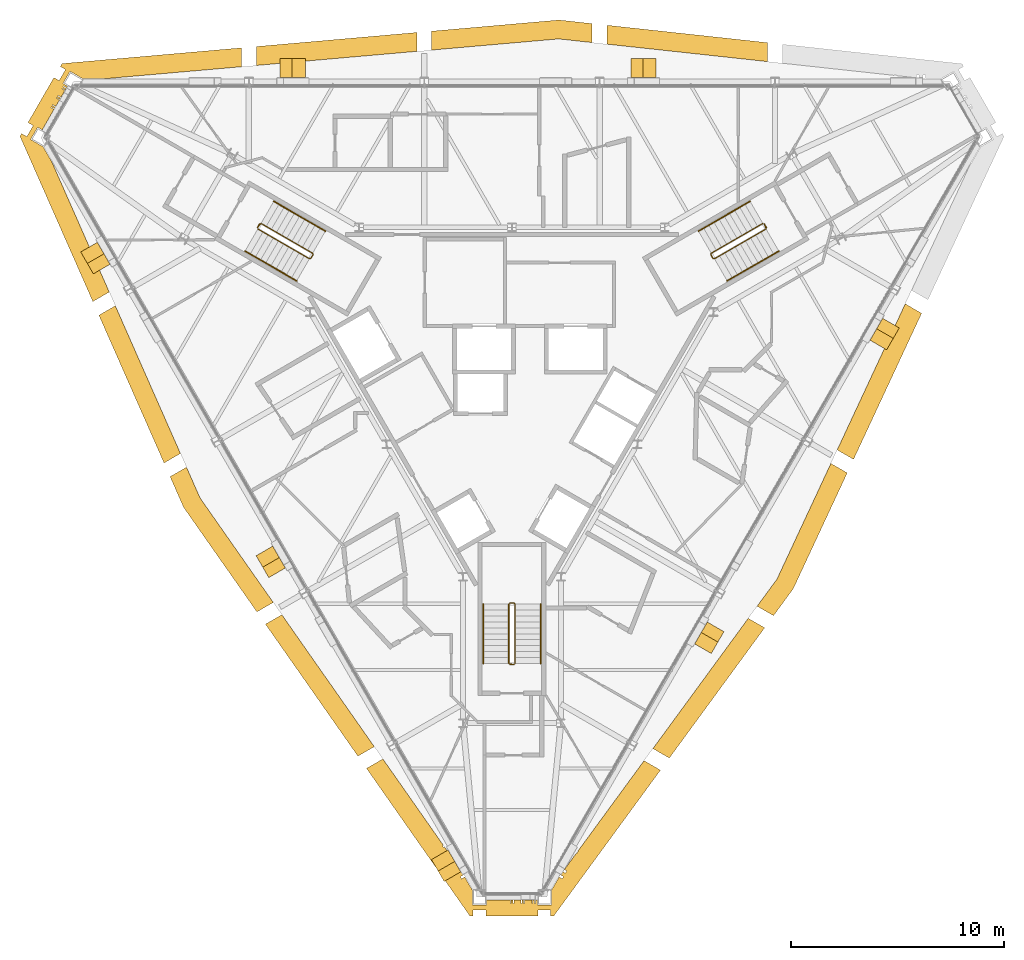
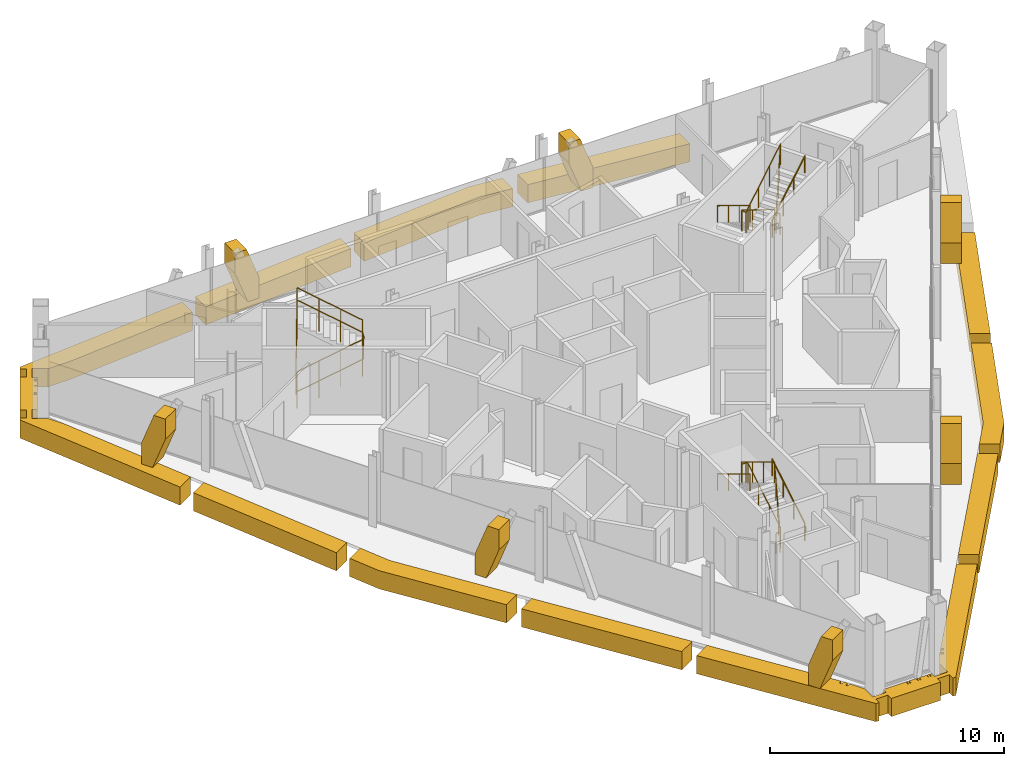
# One storey, part 12 of 13: 18 coverings, 9 railings.
"""IFC4 building model written with IfcOpenShell, lengths in metres."""

from ifc_helpers import new_model, si_unit, direction, frame, origin, origin_2d, place, context, subcontext, project, spatial, polyline, circle, outline, extrude, material, layer, layer_set, type_object, element, save


model = new_model("IFC4")

# Units and contexts
model_context = context("Model", 3, precision=1e-05, world=origin(), true_north=direction((0.0, 1.0)))
body_context = subcontext(model_context, "Body", "Model", "MODEL_VIEW")
ifc_project = project(units=[si_unit("LENGTHUNIT", "METRE"), si_unit("AREAUNIT", "SQUARE_METRE"), si_unit("VOLUMEUNIT", "CUBIC_METRE"), si_unit("PLANEANGLEUNIT", "RADIAN"), si_unit("MASSUNIT", "GRAM", prefix="KILO")], contexts=[model_context])

# Site, building, storey
site_placement = place(None, origin())
site = spatial("IfcSite", under=ifc_project, at=site_placement, CompositionType="ELEMENT")
building_placement = place(site_placement, origin())
building = spatial("IfcBuilding", under=site, at=building_placement, Name="Verrane Prism Tower", CompositionType="ELEMENT")
storey_placement = place(building_placement, frame((0.0, 0.0, 278.800048828125)))
storey = spatial("IfcBuildingStorey", under=building, at=storey_placement, Name="L70", CompositionType="ELEMENT", Elevation=278.800048828125)

# Railings
ifc_material_1 = material(Name="Steel A36 rail and posts, no infill", Category="steel")
railing_type_1 = type_object("IfcRailingType", Name="Stair guard 1100 steel rail and posts", PredefinedType="GUARDRAIL", material=ifc_material_1)
railing_1_placement = place(storey_placement, frame((11.78955078125, 6.97998046875, 0.168212890625)))
element("IfcRailing", 1, at=railing_1_placement, inside=storey, type_object=railing_type_1, Name="Stair 1 guard", PredefinedType="GUARDRAIL", context=body_context, shape_type="SweptSolid", body=[
    extrude(circle(Radius=0.02392578125, at=origin_2d()), frame((0.0, 0.0, 1.076171875), z_axis=(-0.742395268701, -0.428678701772, 0.514862928999), x_axis=(0.500049511043, -0.865996816683, 0.0)), (0.0, 0.0, 1.0), 3.26611328125),
    extrude(circle(Radius=0.02392578125, at=origin_2d()), frame((-2.4248046875, -1.400146484375, 2.7578125), z_axis=(-0.259601060869, -0.965715946433, 0.0), x_axis=(0.965715946433, -0.259601060869, 0.0)), (0.0, 0.0, 1.0), 0.070556640625),
    extrude(circle(Radius=0.02392578125, at=origin_2d()), frame((-2.443115234375, -1.46826171875, 2.7578125), z_axis=(0.499158860599, -0.866510491504, 0.0), x_axis=(0.866510491504, 0.499158860599, 0.0)), (0.0, 0.0, 1.0), 0.199951171875),
    extrude(circle(Radius=0.02392578125, at=origin_2d()), frame((-2.34326171875, -1.6416015625, 2.7578125), z_axis=(0.374585375571, -0.100335368456, 0.921747584887), x_axis=(0.258736085224, 0.965948051503, 0.0)), (0.0, 0.0, 1.0), 0.182373046875),
    extrude(circle(Radius=0.02392578125, at=origin_2d()), frame((-2.27490234375, -1.659912109375, 2.92578125), z_axis=(0.742366697286, 0.42866220388, 0.514917859203), x_axis=(-0.500049511043, 0.865996816683, 0.0)), (0.0, 0.0, 1.0), 3.266357421875),
    extrude(circle(Radius=0.02392578125, at=origin_2d()), frame((0.14990234375, -0.259765625, 4.60791015625), z_axis=(-0.021986835041, 0.065104730107, -0.997636182785), x_axis=(-0.947430582667, -0.3199613899, 0.0)), (0.0, 0.0, 1.0), 3.708740234375),
    extrude(circle(Radius=0.02392578125, at=origin_2d()), frame((0.068359375, -0.018310546875, 0.90771484375), z_axis=(0.499158860599, -0.866510491504, 0.0), x_axis=(0.866510491504, 0.499158860599, 0.0)), (0.0, 0.0, 1.0), 0.199951171875),
    extrude(circle(Radius=0.02099609375, at=origin_2d()), origin(), (0.0, 0.0, 1.0), 1.052001953125),
    extrude(circle(Radius=0.02099609375, at=origin_2d()), frame((-0.808349609375, -0.466796875, 0.560546875)), (0.0, 0.0, 1.0), 1.052001953125),
    extrude(circle(Radius=0.02099609375, at=origin_2d()), frame((-1.616455078125, -0.933349609375, 1.12109375)), (0.0, 0.0, 1.0), 1.052001953125),
    extrude(circle(Radius=0.02099609375, at=origin_2d()), frame((-2.4248046875, -1.400146484375, 1.681640625)), (0.0, 0.0, 1.0), 1.052001953125),
    extrude(circle(Radius=0.02099609375, at=origin_2d()), frame((-2.443115234375, -1.46826171875, 1.681640625)), (0.0, 0.0, 1.0), 1.052001953125),
    extrude(circle(Radius=0.02099609375, at=origin_2d()), frame((-2.34326171875, -1.6416015625, 1.681640625)), (0.0, 0.0, 1.0), 1.052001953125),
    extrude(circle(Radius=0.02099609375, at=origin_2d()), frame((-2.27490234375, -1.659912109375, 1.849853515625)), (0.0, 0.0, 1.0), 1.052001953125),
    extrude(circle(Radius=0.02099609375, at=origin_2d()), frame((-1.466552734375, -1.193115234375, 2.410400390625)), (0.0, 0.0, 1.0), 1.052001953125),
    extrude(circle(Radius=0.02099609375, at=origin_2d()), frame((-0.658447265625, -0.7265625, 2.97119140625)), (0.0, 0.0, 1.0), 1.052001953125),
    extrude(circle(Radius=0.02099609375, at=origin_2d()), frame((0.14990234375, -0.259765625, 3.53173828125)), (0.0, 0.0, 1.0), 1.052001953125),
    extrude(circle(Radius=0.02099609375, at=origin_2d()), frame((0.12939453125, -0.199462890625, 2.606689453125)), (0.0, 0.0, 1.0), 1.052001953125),
    extrude(circle(Radius=0.02099609375, at=origin_2d()), frame((0.109130859375, -0.13916015625, 1.681640625)), (0.0, 0.0, 1.0), 1.052001953125),
    extrude(circle(Radius=0.02099609375, at=origin_2d()), frame((0.0888671875, -0.07861328125, 0.7568359375)), (0.0, 0.0, 1.0), 1.052001953125),
    extrude(circle(Radius=0.02099609375, at=origin_2d()), frame((0.068359375, -0.018310546875, -0.168212890625)), (0.0, 0.0, 1.0), 1.052001953125),
    extrude(circle(Radius=0.02099609375, at=origin_2d()), frame((0.168212890625, -0.191650390625, -0.168212890625)), (0.0, 0.0, 1.0), 1.052001953125),
])
railing_2_placement = place(storey_placement, frame((-11.939453125, 6.72021484375, 0.168212890625)))
element("IfcRailing", 2, at=railing_2_placement, inside=storey, type_object=railing_type_1, Name="Stair 2 guard", PredefinedType="GUARDRAIL", context=body_context, shape_type="SweptSolid", body=[
    extrude(circle(Radius=0.02392578125, at=origin_2d()), frame((0.0, 0.0, 1.076171875), z_axis=(0.742395268701, -0.428678701772, 0.514862928999), x_axis=(0.500049511043, 0.865996816683, 0.0)), (0.0, 0.0, 1.0), 3.26611328125),
    extrude(circle(Radius=0.02392578125, at=origin_2d()), frame((2.4248046875, -1.400146484375, 2.7578125), z_axis=(0.965948051503, 0.258736085224, 0.0), x_axis=(-0.258736085224, 0.965948051503, 0.0)), (0.0, 0.0, 1.0), 0.07080078125),
    extrude(circle(Radius=0.02392578125, at=origin_2d()), frame((2.4931640625, -1.3818359375, 2.7578125), z_axis=(0.499158860599, 0.866510491504, 0.0), x_axis=(-0.866510491504, 0.499158860599, 0.0)), (0.0, 0.0, 1.0), 0.199951171875),
    extrude(circle(Radius=0.02392578125, at=origin_2d()), frame((2.593017578125, -1.20849609375, 2.7578125), z_axis=(-0.100385596638, 0.373434419493, 0.922209014446), x_axis=(-0.965715946433, -0.259601060869, 0.0)), (0.0, 0.0, 1.0), 0.182373046875),
    extrude(circle(Radius=0.02392578125, at=origin_2d()), frame((2.57470703125, -1.140380859375, 2.92578125), z_axis=(-0.742366697286, 0.42866220388, 0.514917859203), x_axis=(-0.500049511043, -0.865996816683, 0.0)), (0.0, 0.0, 1.0), 3.266357421875),
    extrude(circle(Radius=0.02392578125, at=origin_2d()), frame((0.14990234375, 0.259765625, 4.60791015625), z_axis=(-0.04535595117, -0.051675503147, -0.99763343973), x_axis=(0.751567565678, -0.659656118156, 0.0)), (0.0, 0.0, 1.0), 3.708740234375),
    extrude(circle(Radius=0.02392578125, at=origin_2d()), frame((-0.018310546875, 0.068115234375, 0.90771484375), z_axis=(0.499158860599, 0.866510491504, 0.0), x_axis=(-0.866510491504, 0.499158860599, 0.0)), (0.0, 0.0, 1.0), 0.199951171875),
    extrude(circle(Radius=0.02099609375, at=origin_2d()), origin(), (0.0, 0.0, 1.0), 1.052001953125),
    extrude(circle(Radius=0.02099609375, at=origin_2d()), frame((0.808349609375, -0.466796875, 0.560546875)), (0.0, 0.0, 1.0), 1.052001953125),
    extrude(circle(Radius=0.02099609375, at=origin_2d()), frame((1.616455078125, -0.933349609375, 1.12109375)), (0.0, 0.0, 1.0), 1.052001953125),
    extrude(circle(Radius=0.02099609375, at=origin_2d()), frame((2.4248046875, -1.400146484375, 1.681640625)), (0.0, 0.0, 1.0), 1.052001953125),
    extrude(circle(Radius=0.02099609375, at=origin_2d()), frame((2.4931640625, -1.3818359375, 1.681640625)), (0.0, 0.0, 1.0), 1.052001953125),
    extrude(circle(Radius=0.02099609375, at=origin_2d()), frame((2.593017578125, -1.20849609375, 1.681640625)), (0.0, 0.0, 1.0), 1.052001953125),
    extrude(circle(Radius=0.02099609375, at=origin_2d()), frame((2.57470703125, -1.140380859375, 1.849853515625)), (0.0, 0.0, 1.0), 1.052001953125),
    extrude(circle(Radius=0.02099609375, at=origin_2d()), frame((1.766357421875, -0.673583984375, 2.410400390625)), (0.0, 0.0, 1.0), 1.052001953125),
    extrude(circle(Radius=0.02099609375, at=origin_2d()), frame((0.958251953125, -0.20703125, 2.97119140625)), (0.0, 0.0, 1.0), 1.052001953125),
    extrude(circle(Radius=0.02099609375, at=origin_2d()), frame((0.14990234375, 0.259765625, 3.53173828125)), (0.0, 0.0, 1.0), 1.052001953125),
    extrude(circle(Radius=0.02099609375, at=origin_2d()), frame((0.10791015625, 0.2119140625, 2.606689453125)), (0.0, 0.0, 1.0), 1.052001953125),
    extrude(circle(Radius=0.02099609375, at=origin_2d()), frame((0.06591796875, 0.1640625, 1.681640625)), (0.0, 0.0, 1.0), 1.052001953125),
    extrude(circle(Radius=0.02099609375, at=origin_2d()), frame((0.023681640625, 0.115966796875, 0.7568359375)), (0.0, 0.0, 1.0), 1.052001953125),
    extrude(circle(Radius=0.02099609375, at=origin_2d()), frame((-0.018310546875, 0.068115234375, -0.168212890625)), (0.0, 0.0, 1.0), 1.052001953125),
    extrude(circle(Radius=0.02099609375, at=origin_2d()), frame((0.08154296875, 0.241455078125, -0.168212890625)), (0.0, 0.0, 1.0), 1.052001953125),
])
railing_3_placement = place(storey_placement, frame((0.14990234375, -13.699951171875, 0.168212890625)))
element("IfcRailing", 3, at=railing_3_placement, inside=storey, type_object=railing_type_1, Name="Stair 3 guard", PredefinedType="GUARDRAIL", context=body_context, shape_type="SweptSolid", body=[
    extrude(circle(Radius=0.02392578125, at=origin_2d()), frame((0.0, 0.0, 1.076171875), z_axis=(0.0, 0.857275202839, 0.514858452973), x_axis=(-1.0, 0.0, 0.0)), (0.0, 0.0, 1.0), 3.26611328125),
    extrude(circle(Radius=0.02392578125, at=origin_2d()), frame((0.0, 2.800048828125, 2.7578125), z_axis=(-0.707106781187, 0.707106781187, 0.0), x_axis=(-0.707106781187, -0.707106781187, 0.0)), (0.0, 0.0, 1.0), 0.0703125),
    extrude(circle(Radius=0.02392578125, at=origin_2d()), frame((-0.0498046875, 2.849853515625, 2.7578125), z_axis=(-1.0, 0.0, 0.0), x_axis=(0.0, -1.0, 0.0)), (0.0, 0.0, 1.0), 0.2001953125),
    extrude(circle(Radius=0.02392578125, at=origin_2d()), frame((-0.25, 2.849853515625, 2.7578125), z_axis=(-0.273106073848, -0.273106073848, 0.922402376869), x_axis=(0.707106781187, -0.707106781187, 0.0)), (0.0, 0.0, 1.0), 0.182373046875),
    extrude(circle(Radius=0.02392578125, at=origin_2d()), frame((-0.2998046875, 2.800048828125, 2.92578125), z_axis=(0.0, -0.857242210791, 0.514913383045), x_axis=(1.0, 0.0, 0.0)), (0.0, 0.0, 1.0), 3.266357421875),
    extrude(circle(Radius=0.02392578125, at=origin_2d()), frame((-0.2998046875, 0.0, 4.60791015625), z_axis=(0.067408604812, -0.013494886706, -0.997634185476), x_axis=(0.196300278283, 0.98054382908, 0.0)), (0.0, 0.0, 1.0), 3.708740234375),
    extrude(circle(Radius=0.02392578125, at=origin_2d()), frame((-0.0498046875, -0.050048828125, 0.90771484375), z_axis=(-1.0, 0.0, 0.0), x_axis=(0.0, -1.0, 0.0)), (0.0, 0.0, 1.0), 0.2001953125),
    extrude(circle(Radius=0.02099609375, at=origin_2d()), origin(), (0.0, 0.0, 1.0), 1.052001953125),
    extrude(circle(Radius=0.02099609375, at=origin_2d()), frame((0.0, 0.933349609375, 0.560546875)), (0.0, 0.0, 1.0), 1.052001953125),
    extrude(circle(Radius=0.02099609375, at=origin_2d()), frame((0.0, 1.86669921875, 1.12109375)), (0.0, 0.0, 1.0), 1.052001953125),
    extrude(circle(Radius=0.02099609375, at=origin_2d()), frame((0.0, 2.800048828125, 1.681640625)), (0.0, 0.0, 1.0), 1.052001953125),
    extrude(circle(Radius=0.02099609375, at=origin_2d()), frame((-0.0498046875, 2.849853515625, 1.681640625)), (0.0, 0.0, 1.0), 1.052001953125),
    extrude(circle(Radius=0.02099609375, at=origin_2d()), frame((-0.25, 2.849853515625, 1.681640625)), (0.0, 0.0, 1.0), 1.052001953125),
    extrude(circle(Radius=0.02099609375, at=origin_2d()), frame((-0.2998046875, 2.800048828125, 1.849853515625)), (0.0, 0.0, 1.0), 1.052001953125),
    extrude(circle(Radius=0.02099609375, at=origin_2d()), frame((-0.2998046875, 1.86669921875, 2.410400390625)), (0.0, 0.0, 1.0), 1.052001953125),
    extrude(circle(Radius=0.02099609375, at=origin_2d()), frame((-0.2998046875, 0.933349609375, 2.97119140625)), (0.0, 0.0, 1.0), 1.052001953125),
    extrude(circle(Radius=0.02099609375, at=origin_2d()), frame((-0.2998046875, 0.0, 3.53173828125)), (0.0, 0.0, 1.0), 1.052001953125),
    extrude(circle(Radius=0.02099609375, at=origin_2d()), frame((-0.2373046875, -0.012451171875, 2.606689453125)), (0.0, 0.0, 1.0), 1.052001953125),
    extrude(circle(Radius=0.02099609375, at=origin_2d()), frame((-0.1748046875, -0.02490234375, 1.681640625)), (0.0, 0.0, 1.0), 1.052001953125),
    extrude(circle(Radius=0.02099609375, at=origin_2d()), frame((-0.1123046875, -0.03759765625, 0.7568359375)), (0.0, 0.0, 1.0), 1.052001953125),
    extrude(circle(Radius=0.02099609375, at=origin_2d()), frame((-0.0498046875, -0.050048828125, -0.168212890625)), (0.0, 0.0, 1.0), 1.052001953125),
    extrude(circle(Radius=0.02099609375, at=origin_2d()), frame((-0.25, -0.050048828125, -0.168212890625)), (0.0, 0.0, 1.0), 1.052001953125),
])
ifc_material_2 = material(Name="Steel A36 tube", Category="steel")
railing_type_2 = type_object("IfcRailingType", Name="Stair handrail 900 steel tube", PredefinedType="HANDRAIL", material=ifc_material_2)
railing_4_placement = place(storey_placement, frame((11.189453125, 8.01904296875, 0.168212890625)))
element("IfcRailing", 4, at=railing_4_placement, inside=storey, type_object=railing_type_2, Name="Stair 1 handrail", PredefinedType="HANDRAIL", context=body_context, shape_type="SweptSolid", body=[
    extrude(circle(Radius=0.02392578125, at=origin_2d()), frame((0.0, 0.0, 0.8759765625), z_axis=(-0.74241905619, -0.428617687091, 0.514879426), x_axis=(0.49998411664, -0.866034573852, 0.0)), (0.0, 0.0, 1.0), 3.26611328125),
    extrude(circle(Radius=0.02099609375, at=origin_2d()), origin(), (0.0, 0.0, 1.0), 0.851806640625),
    extrude(circle(Radius=0.02099609375, at=origin_2d()), frame((-0.808349609375, -0.466552734375, 0.560546875)), (0.0, 0.0, 1.0), 0.851806640625),
    extrude(circle(Radius=0.02099609375, at=origin_2d()), frame((-1.616455078125, -0.933349609375, 1.12109375)), (0.0, 0.0, 1.0), 0.851806640625),
    extrude(circle(Radius=0.02099609375, at=origin_2d()), frame((-2.4248046875, -1.39990234375, 1.681640625)), (0.0, 0.0, 1.0), 0.851806640625),
])
railing_5_placement = place(storey_placement, frame((10.11474609375, 4.28076171875, 2.01806640625)))
element("IfcRailing", 5, at=railing_5_placement, inside=storey, type_object=railing_type_2, Name="Stair 1 handrail", PredefinedType="HANDRAIL", context=body_context, shape_type="SweptSolid", body=[
    extrude(circle(Radius=0.02392578125, at=origin_2d()), frame((0.0, 0.0, 0.8759765625), z_axis=(0.742366697286, 0.42866220388, 0.514917859203), x_axis=(-0.500049511043, 0.865996816683, 0.0)), (0.0, 0.0, 1.0), 3.266357421875),
    extrude(circle(Radius=0.02099609375, at=origin_2d()), origin(), (0.0, 0.0, 1.0), 0.851806640625),
    extrude(circle(Radius=0.02099609375, at=origin_2d()), frame((0.808349609375, 0.466796875, 0.560546875)), (0.0, 0.0, 1.0), 0.851806640625),
    extrude(circle(Radius=0.02099609375, at=origin_2d()), frame((1.616455078125, 0.933349609375, 1.121337890625)), (0.0, 0.0, 1.0), 0.851806640625),
    extrude(circle(Radius=0.02099609375, at=origin_2d()), frame((2.4248046875, 1.400146484375, 1.681884765625)), (0.0, 0.0, 1.0), 0.851806640625),
])
railing_6_placement = place(storey_placement, frame((-12.53955078125, 5.680908203125, 0.168212890625)))
element("IfcRailing", 6, at=railing_6_placement, inside=storey, type_object=railing_type_2, Name="Stair 2 handrail", PredefinedType="HANDRAIL", context=body_context, shape_type="SweptSolid", body=[
    extrude(circle(Radius=0.02392578125, at=origin_2d()), frame((0.0, 0.0, 0.8759765625), z_axis=(0.742395268701, -0.428678701772, 0.514862928999), x_axis=(0.500049511043, 0.865996816683, 0.0)), (0.0, 0.0, 1.0), 3.26611328125),
    extrude(circle(Radius=0.02099609375, at=origin_2d()), origin(), (0.0, 0.0, 1.0), 0.851806640625),
    extrude(circle(Radius=0.02099609375, at=origin_2d()), frame((0.808349609375, -0.466796875, 0.560546875)), (0.0, 0.0, 1.0), 0.851806640625),
    extrude(circle(Radius=0.02099609375, at=origin_2d()), frame((1.616455078125, -0.933349609375, 1.12109375)), (0.0, 0.0, 1.0), 0.851806640625),
    extrude(circle(Radius=0.02099609375, at=origin_2d()), frame((2.4248046875, -1.400146484375, 1.681640625)), (0.0, 0.0, 1.0), 0.851806640625),
])
railing_7_placement = place(storey_placement, frame((-8.7646484375, 6.619140625, 2.01806640625)))
element("IfcRailing", 7, at=railing_7_placement, inside=storey, type_object=railing_type_2, Name="Stair 2 handrail", PredefinedType="HANDRAIL", context=body_context, shape_type="SweptSolid", body=[
    extrude(circle(Radius=0.02392578125, at=origin_2d()), frame((0.0, 0.0, 0.8759765625), z_axis=(-0.742390482028, 0.42860119049, 0.514934356695), x_axis=(-0.49998411664, -0.866034573852, 0.0)), (0.0, 0.0, 1.0), 3.26611328125),
    extrude(circle(Radius=0.02099609375, at=origin_2d()), origin(), (0.0, 0.0, 1.0), 0.851806640625),
    extrude(circle(Radius=0.02099609375, at=origin_2d()), frame((-0.808349609375, 0.466552734375, 0.560546875)), (0.0, 0.0, 1.0), 0.851806640625),
    extrude(circle(Radius=0.02099609375, at=origin_2d()), frame((-1.616455078125, 0.933349609375, 1.121337890625)), (0.0, 0.0, 1.0), 0.851806640625),
    extrude(circle(Radius=0.02099609375, at=origin_2d()), frame((-2.4248046875, 1.39990234375, 1.681884765625)), (0.0, 0.0, 1.0), 0.851806640625),
])
railing_8_placement = place(storey_placement, frame((1.35009765625, -13.699951171875, 0.168212890625)))
element("IfcRailing", 8, at=railing_8_placement, inside=storey, type_object=railing_type_2, Name="Stair 3 handrail", PredefinedType="HANDRAIL", context=body_context, shape_type="SweptSolid", body=[
    extrude(circle(Radius=0.02392578125, at=origin_2d()), frame((0.0, 0.0, 0.8759765625), z_axis=(0.0, 0.857275202839, 0.514858452973), x_axis=(-1.0, 0.0, 0.0)), (0.0, 0.0, 1.0), 3.26611328125),
    extrude(circle(Radius=0.02099609375, at=origin_2d()), origin(), (0.0, 0.0, 1.0), 0.851806640625),
    extrude(circle(Radius=0.02099609375, at=origin_2d()), frame((0.0, 0.933349609375, 0.560546875)), (0.0, 0.0, 1.0), 0.851806640625),
    extrude(circle(Radius=0.02099609375, at=origin_2d()), frame((0.0, 1.86669921875, 1.12109375)), (0.0, 0.0, 1.0), 0.851806640625),
    extrude(circle(Radius=0.02099609375, at=origin_2d()), frame((0.0, 2.800048828125, 1.681640625)), (0.0, 0.0, 1.0), 0.851806640625),
])
railing_9_placement = place(storey_placement, frame((-1.35009765625, -10.89990234375, 2.01806640625)))
element("IfcRailing", 9, at=railing_9_placement, inside=storey, type_object=railing_type_2, Name="Stair 3 handrail", PredefinedType="HANDRAIL", context=body_context, shape_type="SweptSolid", body=[
    extrude(circle(Radius=0.02392578125, at=origin_2d()), frame((0.0, 0.0, 0.8759765625), z_axis=(0.0, -0.857242210791, 0.514913383045), x_axis=(1.0, 0.0, 0.0)), (0.0, 0.0, 1.0), 3.266357421875),
    extrude(circle(Radius=0.02099609375, at=origin_2d()), origin(), (0.0, 0.0, 1.0), 0.851806640625),
    extrude(circle(Radius=0.02099609375, at=origin_2d()), frame((0.0, -0.933349609375, 0.560546875)), (0.0, 0.0, 1.0), 0.851806640625),
    extrude(circle(Radius=0.02099609375, at=origin_2d()), frame((0.0, -1.86669921875, 1.121337890625)), (0.0, 0.0, 1.0), 0.851806640625),
    extrude(circle(Radius=0.02099609375, at=origin_2d()), frame((0.0, -2.800048828125, 1.681884765625)), (0.0, 0.0, 1.0), 0.851806640625),
])

# Coverings
ifc_material_3 = material(Name="Warm limestone cladding", Category="masonry")
ifc_layer_1 = layer(ifc_material_3, 0.89990234375)
ifc_layer_set_1 = layer_set([ifc_layer_1], Name="Stone brace fin 900")
covering_type_1 = type_object("IfcCoveringType", Name="Stone brace fin 900", PredefinedType="CLADDING", material=ifc_layer_set_1)
for number, where, z_axis, x_axis, name in (
    (10, (6.773193359375, 14.27783203125, 0.0), (0.0, 0.0, 1.0), (-1.0, 0.0, 0.0), "Stone brace fin N2 L70"),
    (11, (-9.706787109375, 14.27783203125, 0.0), (0.0, 0.0, 1.0), (-1.0, 0.0, 0.0), "Stone brace fin N4 L70"),
):
    element("IfcCovering", number, at=place(storey_placement, frame(where, z_axis=z_axis, x_axis=x_axis)), inside=storey, type_object=covering_type_1, Name=name, PredefinedType="CLADDING", context=body_context, shape_type="SweptSolid", body=[
        extrude(outline(polyline([(1.186279296875, 2.75), (0.62109375, 2.75), (0.0, 1.076416015625), (0.0, 0.0), (0.560302734375, 0.0), (1.186279296875, 1.686279296875), (1.186279296875, 2.75)])), frame((0.0, 0.449951171875, 0.0), z_axis=(0.0, -1.0, 0.0), x_axis=(1.0, 0.0, 0.0)), (0.0, 0.0, 1.0), 0.89990234375),
    ])
covering_1_placement = place(storey_placement, frame((-19.870361328125, 5.865234375, 0.0), z_axis=(0.0, 0.0, 1.0), x_axis=(0.499811481546, -0.86613421761, 0.0)))
element("IfcCovering", 12, at=covering_1_placement, inside=storey, type_object=covering_type_1, Name="Stone brace fin SW1 L70", PredefinedType="CLADDING", context=body_context, shape_type="SweptSolid", body=[
    extrude(outline(polyline([(1.18701171875, 2.75), (0.62158203125, 2.75), (0.0, 1.075927734375), (0.0, 0.0), (0.560546875, 0.0), (1.18701171875, 1.686767578125), (1.18701171875, 2.75)])), frame((0.0, 0.449951171875, 0.0), z_axis=(0.0, -1.0, 0.0), x_axis=(1.0, 0.0, 0.0)), (0.0, 0.0, 1.0), 0.89990234375),
])
covering_2_placement = place(storey_placement, frame((-11.630126953125, -8.408203125, 0.0), z_axis=(0.0, 0.0, 1.0), x_axis=(0.500191825104, -0.865914625179, 0.0)))
element("IfcCovering", 13, at=covering_2_placement, inside=storey, type_object=covering_type_1, Name="Stone brace fin SW3 L70", PredefinedType="CLADDING", context=body_context, shape_type="SweptSolid", body=[
    extrude(outline(polyline([(1.185791015625, 2.75), (0.62060546875, 2.75), (0.0, 1.0771484375), (0.0, 0.0), (0.560302734375, 0.0), (1.185791015625, 1.685546875), (1.185791015625, 2.75)])), frame((0.0, 0.449951171875, 0.0), z_axis=(0.0, -1.0, 0.0), x_axis=(1.0, 0.0, 0.0)), (0.0, 0.0, 1.0), 0.89990234375),
])
for number, where, z_axis, x_axis, name in (
    (14, (-3.390380859375, -22.684814453125, 0.0), (0.0, 0.0, 1.0), (0.499811481546, -0.86613421761, 0.0), "Stone brace fin SW5 L70"),
    (15, (8.977294921875, -13.002685546875, 0.0), (0.0, 0.0, 1.0), (0.499746201493, 0.866171884844, 0.0), "Stone brace fin SE2 L70"),
    (16, (17.21728515625, 1.26708984375, 0.0), (0.0, 0.0, 1.0), (0.499657156181, 0.866223254293, 0.0), "Stone brace fin SE4 L70"),
):
    element("IfcCovering", number, at=place(storey_placement, frame(where, z_axis=z_axis, x_axis=x_axis)), inside=storey, type_object=covering_type_1, Name=name, PredefinedType="CLADDING", context=body_context, shape_type="SweptSolid", body=[
        extrude(outline(polyline([(1.18701171875, 2.75), (0.62158203125, 2.75), (0.0, 1.075927734375), (0.0, 0.0), (0.560546875, 0.0), (1.18701171875, 1.686767578125), (1.18701171875, 2.75)])), frame((0.0, 0.449951171875, 0.0), z_axis=(0.0, -1.0, 0.0), x_axis=(1.0, 0.0, 0.0)), (0.0, 0.0, 1.0), 0.89990234375),
    ])
ifc_material_4 = material(Name="Warm limestone cladding", Category="masonry")
ifc_layer_2 = layer(ifc_material_4, 0.449951171875)
ifc_layer_set_2 = layer_set([ifc_layer_2], Name="Stone spandrel band 450")
covering_type_2 = type_object("IfcCoveringType", Name="Stone spandrel band 450", PredefinedType="CLADDING", material=ifc_layer_set_2)
covering_3_placement = place(storey_placement, frame((0.0, 0.0, -0.949951171875)))
element("IfcCovering", 17, at=covering_3_placement, inside=storey, type_object=covering_type_2, Name="Stone spandrel band L70 part 1", PredefinedType="CLADDING", context=body_context, shape_type="SweptSolid", body=[
    extrude(outline(polyline([(-19.69091796875, 3.310791015625), (-18.920166015625, 3.755859375), (-21.625244140625, 9.889404296875), (-22.027099609375, 10.585205078125), (-22.614013671875, 10.92431640625), (-22.2841796875, 11.495849609375), (-22.07275390625, 11.373779296875), (-21.51318359375, 12.3427734375), (-21.65478515625, 12.424560546875), (-21.639892578125, 12.449951171875), (-21.49853515625, 12.3681640625), (-21.4580078125, 12.4384765625), (-21.599365234375, 12.520263671875), (-21.575927734375, 12.560791015625), (-21.4345703125, 12.47900390625), (-21.260009765625, 12.78125), (-21.4013671875, 12.86279296875), (-21.38671875, 12.888427734375), (-21.245361328125, 12.806640625), (-21.204833984375, 12.876953125), (-21.34619140625, 12.95849609375), (-21.32275390625, 12.9990234375), (-21.181396484375, 12.91748046875), (-21.007080078125, 13.219482421875), (-21.148193359375, 13.30126953125), (-21.13330078125, 13.32666015625), (-20.9921875, 13.2451171875), (-20.95166015625, 13.315185546875), (-21.0927734375, 13.39697265625), (-21.0693359375, 13.4375), (-20.92822265625, 13.35595703125), (-20.8837890625, 13.432861328125), (-21.093994140625, 13.55419921875), (-20.76416015625, 14.125732421875), (-20.1708984375, 13.783447265625), (-19.084228515625, 13.783447265625), (-12.712646484375, 14.34228515625), (-12.712646484375, 15.23046875), (-21.140380859375, 14.4912109375), (-21.220703125, 14.352294921875), (-20.97412109375, 14.209716796875), (-21.274169921875, 13.690185546875), (-21.520751953125, 13.83251953125), (-22.73974609375, 11.72119140625), (-22.4931640625, 11.578857421875), (-22.793212890625, 11.05908203125), (-23.039794921875, 11.20166015625), (-23.1142578125, 11.07275390625), (-19.69091796875, 3.310791015625)])), origin(), (0.0, 0.0, 1.0), 0.949951171875),
])
covering_4_placement = place(storey_placement, frame((0.0, 0.0, -0.949951171875)))
element("IfcCovering", 18, at=covering_4_placement, inside=storey, type_object=covering_type_2, Name="Stone spandrel band L70 part 2", PredefinedType="CLADDING", context=body_context, shape_type="SweptSolid", body=[
    extrude(outline(polyline([(1.968017578125, -25.5537109375), (6.978271484375, -18.708251953125), (6.20751953125, -18.26318359375), (3.095703125, -22.514892578125), (3.1064453125, -22.52099609375), (3.047607421875, -22.622802734375), (3.02587890625, -22.610107421875), (2.46337890625, -23.37890625), (2.574462890625, -23.443115234375), (2.51318359375, -23.548828125), (2.390625, -23.478271484375), (2.279541015625, -23.6298828125), (2.419677734375, -23.7109375), (2.361083984375, -23.812744140625), (2.2158203125, -23.72900390625), (1.85009765625, -24.3623046875), (1.85009765625, -25.050048828125), (1.18994140625, -25.050048828125), (1.18994140625, -24.802490234375), (1.100830078125, -24.802490234375), (1.100830078125, -24.969970703125), (1.053955078125, -24.969970703125), (1.053955078125, -24.802490234375), (0.972900390625, -24.802490234375), (0.972900390625, -24.969970703125), (0.943359375, -24.969970703125), (0.943359375, -24.802490234375), (0.593994140625, -24.802490234375), (0.593994140625, -24.969970703125), (0.547119140625, -24.969970703125), (0.547119140625, -24.802490234375), (0.466064453125, -24.802490234375), (0.466064453125, -24.969970703125), (0.4365234375, -24.969970703125), (0.4365234375, -24.802490234375), (0.08740234375, -24.802490234375), (0.08740234375, -24.969970703125), (0.04052734375, -24.969970703125), (0.04052734375, -24.802490234375), (-0.04052734375, -24.802490234375), (-0.04052734375, -24.969970703125), (-0.070068359375, -24.969970703125), (-0.070068359375, -24.802490234375), (-1.18994140625, -24.802490234375), (-1.18994140625, -25.050048828125), (-1.85009765625, -25.050048828125), (-1.85009765625, -24.3623046875), (-2.2158203125, -23.72900390625), (-2.361083984375, -23.812744140625), (-2.419677734375, -23.7109375), (-2.2744140625, -23.627197265625), (-2.367919921875, -23.465087890625), (-2.51318359375, -23.548828125), (-2.574462890625, -23.443115234375), (-2.4345703125, -23.3623046875), (-2.979736328125, -22.583740234375), (-3.047607421875, -22.622802734375), (-3.1064453125, -22.52099609375), (-3.047607421875, -22.487060546875), (-3.1552734375, -22.333251953125), (-3.199951171875, -22.35888671875), (-3.260986328125, -22.2529296875), (-3.225830078125, -22.232666015625), (-6.064208984375, -18.1806640625), (-6.83349609375, -18.624755859375), (-1.9794921875, -25.5537109375), (-1.819091796875, -25.5537109375), (-1.819091796875, -25.26904296875), (-1.218994140625, -25.26904296875), (-1.218994140625, -25.5537109375), (1.218994140625, -25.5537109375), (1.218994140625, -25.26904296875), (1.819091796875, -25.26904296875), (1.819091796875, -25.5537109375), (1.968017578125, -25.5537109375)])), origin(), (0.0, 0.0, 1.0), 0.949951171875),
])
covering_5_placement = place(storey_placement, frame((0.0, 0.0, -0.949951171875)))
element("IfcCovering", 19, at=covering_5_placement, inside=storey, type_object=covering_type_2, Name="Stone spandrel band L70 part 4", PredefinedType="CLADDING", context=body_context, shape_type="SweptSolid", body=[
    extrude(outline(polyline([(-15.57470703125, -3.82958984375), (-18.635986328125, 3.111572265625), (-19.40673828125, 2.66650390625), (-16.345703125, -4.274658203125), (-15.57470703125, -3.82958984375)])), origin(), (0.0, 0.0, 1.0), 0.949951171875),
])
covering_6_placement = place(storey_placement, frame((0.0, 0.0, -0.949951171875)))
element("IfcCovering", 20, at=covering_6_placement, inside=storey, type_object=covering_type_2, Name="Stone spandrel band L70 part 5", PredefinedType="CLADDING", context=body_context, shape_type="SweptSolid", body=[
    extrude(outline(polyline([(-11.983642578125, -11.27294921875), (-11.214599609375, -10.828857421875), (-14.652099609375, -5.921630859375), (-15.290771484375, -4.473876953125), (-16.0615234375, -4.918701171875), (-15.4267578125, -6.358154296875), (-11.983642578125, -11.27294921875)])), origin(), (0.0, 0.0, 1.0), 0.949951171875),
])
covering_7_placement = place(storey_placement, frame((0.0, 0.0, -0.949951171875)))
element("IfcCovering", 21, at=covering_7_placement, inside=storey, type_object=covering_type_2, Name="Stone spandrel band L70 part 6", PredefinedType="CLADDING", context=body_context, shape_type="SweptSolid", body=[
    extrude(outline(polyline([(-7.23681640625, -18.04931640625), (-6.467529296875, -17.60498046875), (-10.811279296875, -11.404296875), (-11.58056640625, -11.848388671875), (-7.23681640625, -18.04931640625)])), origin(), (0.0, 0.0, 1.0), 0.949951171875),
])
covering_8_placement = place(storey_placement, frame((0.0, 0.0, -0.949951171875)))
element("IfcCovering", 22, at=covering_8_placement, inside=storey, type_object=covering_type_2, Name="Stone spandrel band L70 part 7", PredefinedType="CLADDING", context=body_context, shape_type="SweptSolid", body=[
    extrude(outline(polyline([(11.874755859375, -12.018310546875), (11.10400390625, -11.573486328125), (6.623291015625, -17.695068359375), (7.394287109375, -18.14013671875), (11.874755859375, -12.018310546875)])), origin(), (0.0, 0.0, 1.0), 0.949951171875),
])
covering_9_placement = place(storey_placement, frame((0.0, 0.0, -0.949951171875)))
element("IfcCovering", 23, at=covering_9_placement, inside=storey, type_object=covering_type_2, Name="Stone spandrel band L70 part 8", PredefinedType="CLADDING", context=body_context, shape_type="SweptSolid", body=[
    extrude(outline(polyline([(14.9853515625, -4.297607421875), (12.454345703125, -9.728515625), (11.519775390625, -11.005126953125), (12.29052734375, -11.4501953125), (13.2197265625, -10.180908203125), (15.754638671875, -4.74169921875), (14.9853515625, -4.297607421875)])), origin(), (0.0, 0.0, 1.0), 0.949951171875),
])
covering_10_placement = place(storey_placement, frame((0.0, 0.0, -0.949951171875)))
element("IfcCovering", 24, at=covering_10_placement, inside=storey, type_object=covering_type_2, Name="Stone spandrel band L70 part 9", PredefinedType="CLADDING", context=body_context, shape_type="SweptSolid", body=[
    extrude(outline(polyline([(18.480224609375, 3.201416015625), (15.2822265625, -3.66064453125), (16.051513671875, -4.104736328125), (17.174072265625, -1.696044921875), (19.24951171875, 2.75732421875), (18.480224609375, 3.201416015625)])), origin(), (0.0, 0.0, 1.0), 0.949951171875),
])
covering_11_placement = place(storey_placement, frame((0.0, 0.0, -0.949951171875)))
element("IfcCovering", 25, at=covering_11_placement, inside=storey, type_object=covering_type_2, Name="Stone spandrel band L70 part 10", PredefinedType="CLADDING", context=body_context, shape_type="SweptSolid", body=[
    extrude(outline(polyline([(4.470947265625, 15.403076171875), (12.0126953125, 14.58349609375), (12.0126953125, 15.4736328125), (4.470947265625, 16.29296875), (4.470947265625, 15.403076171875)])), origin(), (0.0, 0.0, 1.0), 0.949951171875),
])
covering_12_placement = place(storey_placement, frame((0.0, 0.0, -0.949951171875)))
element("IfcCovering", 26, at=covering_12_placement, inside=storey, type_object=covering_type_2, Name="Stone spandrel band L70 part 11", PredefinedType="CLADDING", context=body_context, shape_type="SweptSolid", body=[
    extrude(outline(polyline([(-3.77099609375, 15.12646484375), (2.19775390625, 15.64990234375), (3.77099609375, 15.47900390625), (3.77099609375, 16.369140625), (2.20703125, 16.5390625), (-3.77099609375, 16.0146484375), (-3.77099609375, 15.12646484375)])), origin(), (0.0, 0.0, 1.0), 0.949951171875),
])
covering_13_placement = place(storey_placement, frame((0.0, 0.0, -0.949951171875)))
element("IfcCovering", 27, at=covering_13_placement, inside=storey, type_object=covering_type_2, Name="Stone spandrel band L70 part 12", PredefinedType="CLADDING", context=body_context, shape_type="SweptSolid", body=[
    extrude(outline(polyline([(-12.0126953125, 14.403564453125), (-4.470947265625, 15.065185546875), (-4.470947265625, 15.953369140625), (-12.0126953125, 15.291748046875), (-12.0126953125, 14.403564453125)])), origin(), (0.0, 0.0, 1.0), 0.949951171875),
])

save(model, "model.ifc")
